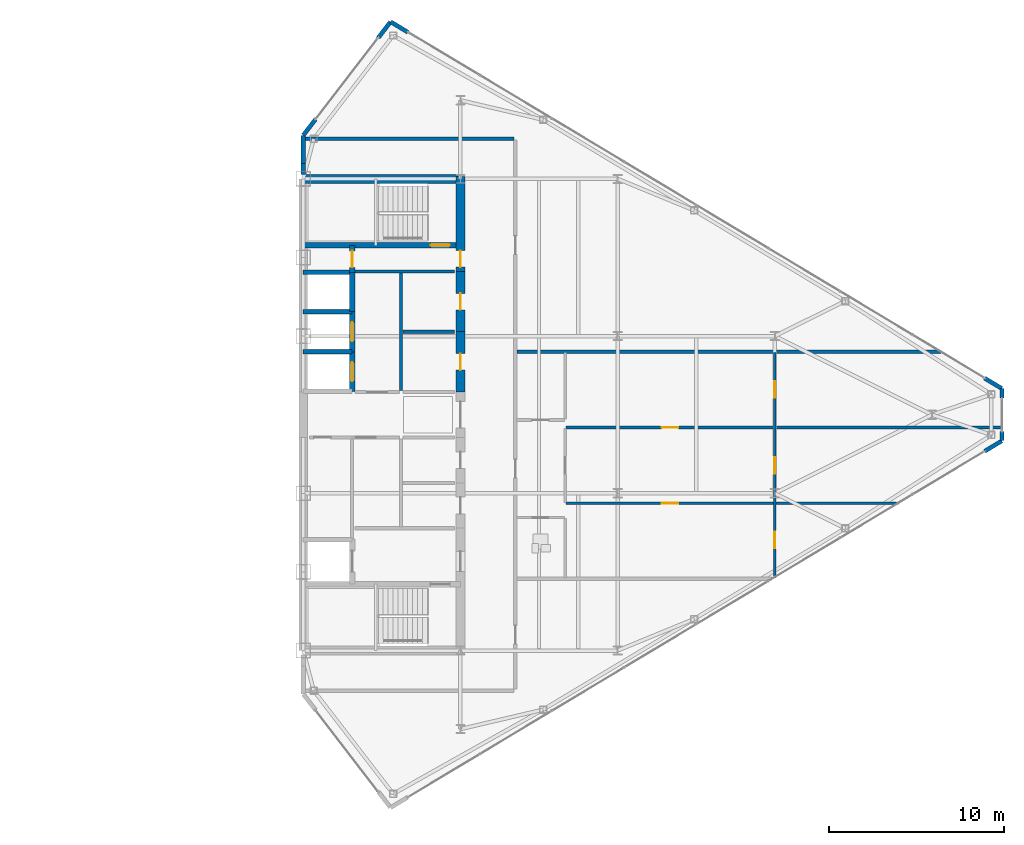
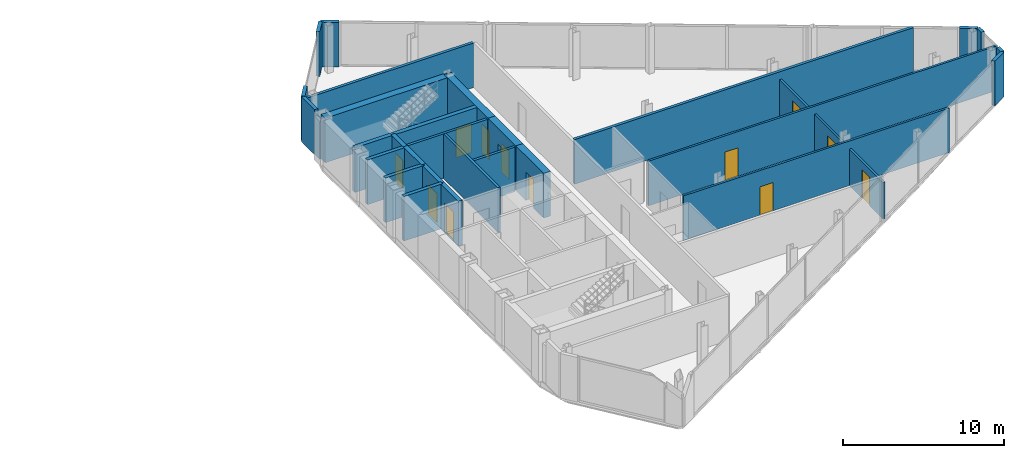
# One storey, part 22 of 25: 29 walls, 12 doors, 12 openings.
"""IFC4 building model written with IfcOpenShell, lengths in metres."""

import ifcopenshell
import ifcopenshell.guid

model = None  # the IFC model being written
_history = None  # IfcOwnerHistory: only IFC2X3 demands one
_inside = {}  # id of a spatial element -> (the spatial element, [elements in it])
_under = {}  # id of a project, library or spatial element -> (it, [spatial elements below it])
_declared = {}  # id of a project -> (the project, [libraries it declares])
_typed = {}  # id of a type object -> (the type object, [elements of that type])
_made_of = {}  # id of a material, layer set ... -> (it, [elements and type objects made of it])


def new_model(schema):
    """Start an empty IFC model of exactly this schema.

    Asked for "IFC4X3", IfcOpenShell would pick the latest addendum, in which some entities
    have other attributes; the version numbers below select the first issue.
    IFC2X3 requires an IfcOwnerHistory on every rooted entity: one is made here for all.
    """
    global model, _history
    if schema == "IFC4X3":
        model = ifcopenshell.file(schema_version=(4, 3, 0, 0))
    else:
        model = ifcopenshell.file(schema=schema)
    _inside.clear()
    _under.clear()
    _declared.clear()
    _typed.clear()
    _made_of.clear()
    _history = None
    if model.schema == "IFC2X3":
        org = make("IfcOrganization", Name="unknown")
        user = make(
            "IfcPersonAndOrganization",
            ThePerson=make("IfcPerson", FamilyName="unknown"),
            TheOrganization=org,
        )
        app = make(
            "IfcApplication",
            ApplicationDeveloper=org,
            Version="unknown",
            ApplicationFullName="unknown",
            ApplicationIdentifier="unknown",
        )
        _history = make(
            "IfcOwnerHistory",
            OwningUser=user,
            OwningApplication=app,
            ChangeAction="ADDED",
            CreationDate=0,
        )
    return model


def make(cls, **values):
    """One entity of the class cls with the attributes given. An attribute that is None is left unset."""
    return model.create_entity(
        cls, **{name: value for name, value in values.items() if value is not None}
    )


def rooted(cls, **values):
    """An entity with a GlobalId (a new one), such as an element, a storey or a relation."""
    return make(cls, GlobalId=ifcopenshell.guid.new(), OwnerHistory=_history, **values)


def si_unit(unit_type, name, prefix=None):
    """IfcSIUnit, for example si_unit("LENGTHUNIT", "METRE", prefix="MILLI")."""
    return make("IfcSIUnit", UnitType=unit_type, Prefix=prefix, Name=name)


def assignment(units):
    """IfcUnitAssignment: the units of a project."""
    return None if units is None else make("IfcUnitAssignment", Units=units)


def point(xyz):
    """IfcCartesianPoint."""
    return None if xyz is None else make("IfcCartesianPoint", Coordinates=xyz)


def direction(xyz):
    """IfcDirection."""
    return None if xyz is None else make("IfcDirection", DirectionRatios=xyz)


def frame(location, z_axis=None, x_axis=None):
    """IfcAxis2Placement3D, a coordinate frame: its origin and axes. An axis left out is left unset."""
    return make(
        "IfcAxis2Placement3D",
        Location=point(location),
        Axis=direction(z_axis),
        RefDirection=direction(x_axis),
    )


def frame_2d(location, x_axis=None):
    """IfcAxis2Placement2D, a coordinate frame in the plane: its origin and x axis."""
    return make(
        "IfcAxis2Placement2D", Location=point(location), RefDirection=direction(x_axis)
    )


def origin():
    """The frame at (0, 0, 0) with its axes left unset."""
    return frame((0.0, 0.0, 0.0))


def place(relative_to, where):
    """IfcLocalPlacement: puts the frame where relative to a parent placement (None: the world)."""
    return make(
        "IfcLocalPlacement", PlacementRelTo=relative_to, RelativePlacement=where
    )


def context(
    kind, dimensions, precision=None, world=None, true_north=None, identifier=None
):
    """IfcGeometricRepresentationContext, for example the 3D "Model" context."""
    return make(
        "IfcGeometricRepresentationContext",
        ContextIdentifier=identifier,
        ContextType=kind,
        CoordinateSpaceDimension=dimensions,
        Precision=precision,
        WorldCoordinateSystem=world,
        TrueNorth=true_north,
    )


def subcontext(parent, identifier, kind, view, scale=None):
    """IfcGeometricRepresentationSubContext, for example "Body" below "Model"."""
    return make(
        "IfcGeometricRepresentationSubContext",
        ContextIdentifier=identifier,
        ContextType=kind,
        ParentContext=parent,
        TargetScale=scale,
        TargetView=view,
    )


def project(units=None, contexts=None):
    """IfcProject with its units and contexts."""
    return rooted(
        "IfcProject",
        Name="project",
        RepresentationContexts=contexts,
        UnitsInContext=assignment(units),
    )


def spatial(cls, under=None, at=None, **own):
    """A site, building, storey or space (cls), placed at a placement, below another one or the project."""
    s = rooted(cls, ObjectPlacement=at, **own)
    if under is not None:
        _under.setdefault(under.id(), (under, []))[1].append(s)
    return s


def profile(cls, at=None, kind="AREA", **sizes):
    """A parametric profile (cls). Its sizes go by their IFC names, for example OverallWidth=200.0."""
    return make(cls, ProfileType=kind, Position=at, **sizes)


def rectangle(**sizes):
    """IfcRectangleProfileDef."""
    return profile("IfcRectangleProfileDef", **sizes)


def extrude(swept, where, along, depth):
    """IfcExtrudedAreaSolid: the profile swept, set in the frame where, extruded along a direction by depth."""
    return make(
        "IfcExtrudedAreaSolid",
        SweptArea=swept,
        Position=where,
        ExtrudedDirection=direction(along),
        Depth=depth,
    )


def shape(context_of_items, identifier, shape_type, items):
    """IfcShapeRepresentation: the items that make up one representation, for example the "Body"."""
    return make(
        "IfcShapeRepresentation",
        ContextOfItems=context_of_items,
        RepresentationIdentifier=identifier,
        RepresentationType=shape_type,
        Items=items,
    )


def source(mapping_origin, context_of_items, identifier, shape_type, items):
    """IfcRepresentationMap: a shape defined once, which mapped items show again and again."""
    return make(
        "IfcRepresentationMap",
        MappingOrigin=mapping_origin,
        MappedRepresentation=shape(context_of_items, identifier, shape_type, items),
    )


def transform(
    local_origin,
    x_axis=None,
    y_axis=None,
    z_axis=None,
    scale=None,
    scale2=None,
    scale3=None,
    uniform=True,
):
    """IfcCartesianTransformationOperator3D, or its non-uniform kind. x_axis, y_axis, z_axis: its Axis1, 2, 3."""
    if uniform:
        return make(
            "IfcCartesianTransformationOperator3D",
            Axis1=direction(x_axis),
            Axis2=direction(y_axis),
            LocalOrigin=point(local_origin),
            Scale=scale,
            Axis3=direction(z_axis),
        )
    return make(
        "IfcCartesianTransformationOperator3DnonUniform",
        Axis1=direction(x_axis),
        Axis2=direction(y_axis),
        LocalOrigin=point(local_origin),
        Scale=scale,
        Axis3=direction(z_axis),
        Scale2=scale2,
        Scale3=scale3,
    )


def mapped(mapping_source, mapping_target):
    """IfcMappedItem: shows the shape of a source again, moved by a transform."""
    return make(
        "IfcMappedItem", MappingSource=mapping_source, MappingTarget=mapping_target
    )


def material(Name=None, Category=None):
    """IfcMaterial."""
    return make("IfcMaterial", Name=Name, Category=Category)


def layer(
    of_material, thickness, ventilated=None, Name=None, Category=None, Priority=None
):
    """IfcMaterialLayer: one layer of a wall or slab, of a material (None: an air gap)."""
    return make(
        "IfcMaterialLayer",
        Material=of_material,
        LayerThickness=thickness,
        IsVentilated=ventilated,
        Name=Name,
        Category=Category,
        Priority=Priority,
    )


def layer_set(layers, Name=None):
    """IfcMaterialLayerSet."""
    return make("IfcMaterialLayerSet", MaterialLayers=layers, LayerSetName=Name)


def made_of(thing, what):
    """Note that an element or type object is made of a material, layer set ...; save() writes the relation."""
    if what is not None:
        _made_of.setdefault(what.id(), (what, []))[1].append(thing)
    return thing


def type_object(cls, material=None, **own):
    """A type object (cls), such as IfcWallType, which elements share."""
    return made_of(rooted(cls, **own), material)


def type_shapes(of_type, sources):
    """Give a type object the sources (RepresentationMaps) that its elements show as mapped items."""
    of_type.RepresentationMaps = sources


def element(
    cls,
    number,
    at=None,
    inside=None,
    cuts=None,
    type_object=None,
    material=None,
    context=None,
    identifier="Body",
    shape_type=None,
    held_by="IfcProductDefinitionShape",
    body=None,
    shapes=None,
    **own,
):
    """One element of the class cls, such as IfcWall. Its Tag is "e" and its number.

    at: its placement. inside: the storey or other place that contains it. cuts: it is an
    opening in that element (IfcRelVoidsElement). A single representation is given by context,
    identifier, shape_type and body (its items); several are given by shapes. held_by: the class
    of the entity that holds the representations. save() writes the other relations.
    """
    e = rooted(cls, Tag="e%d" % number, ObjectPlacement=at, **own)
    if body is not None:
        shapes = [shape(context, identifier, shape_type, body)]
    if shapes is not None:
        e.Representation = make(held_by, Representations=shapes)
    if inside is not None:
        _inside.setdefault(inside.id(), (inside, []))[1].append(e)
    if cuts is not None:
        rooted(
            "IfcRelVoidsElement", RelatingBuildingElement=cuts, RelatedOpeningElement=e
        )
    if type_object is not None:
        _typed.setdefault(type_object.id(), (type_object, []))[1].append(e)
    return made_of(e, material)


def fill(opening, filler):
    """IfcRelFillsElement: the door or window that sits in an opening."""
    return rooted(
        "IfcRelFillsElement",
        RelatingOpeningElement=opening,
        RelatedBuildingElement=filler,
    )


def aggregate(whole, parts):
    """IfcRelAggregates: a whole, such as a stair, and the parts it consists of."""
    return rooted("IfcRelAggregates", RelatingObject=whole, RelatedObjects=parts)


def save(model, path):
    """Write the relations noted so far, then the file.

    IfcRelAggregates (storeys below a building ...), IfcRelContainedInSpatialStructure (elements
    in a storey), IfcRelDefinesByType, IfcRelAssociatesMaterial and IfcRelDeclares: one each for
    every whole, place, type object, material and project.
    """
    for whole, parts in _under.values():
        aggregate(whole, parts)
    for where, things in _inside.values():
        rooted(
            "IfcRelContainedInSpatialStructure",
            RelatedElements=things,
            RelatingStructure=where,
        )
    for kind, things in _typed.values():
        rooted("IfcRelDefinesByType", RelatedObjects=things, RelatingType=kind)
    for what, things in _made_of.values():
        rooted("IfcRelAssociatesMaterial", RelatedObjects=things, RelatingMaterial=what)
    for by, libraries in _declared.values():
        rooted("IfcRelDeclares", RelatingContext=by, RelatedDefinitions=libraries)
    model.write(path)


model = new_model("IFC4")

# Units and contexts
model_context = context("Model", 3, precision=1e-05, world=origin(), true_north=direction((0.0, 1.0)))
body_context = subcontext(model_context, "Body", "Model", "MODEL_VIEW")
ifc_project = project(units=[si_unit("LENGTHUNIT", "METRE"), si_unit("AREAUNIT", "SQUARE_METRE"), si_unit("VOLUMEUNIT", "CUBIC_METRE"), si_unit("PLANEANGLEUNIT", "RADIAN"), si_unit("MASSUNIT", "GRAM", prefix="KILO")], contexts=[model_context])

# Site, building, storey
site_placement = place(None, origin())
site = spatial("IfcSite", under=ifc_project, at=site_placement, CompositionType="ELEMENT")
building_placement = place(site_placement, origin())
building = spatial("IfcBuilding", under=site, at=building_placement, Name="Seokmaru Belvedere", CompositionType="ELEMENT")
storey_placement = place(building_placement, frame((0.0, 0.0, 210.300048828125)))
storey = spatial("IfcBuildingStorey", under=building, at=storey_placement, Name="L56", CompositionType="ELEMENT", Elevation=210.300048828125)

# Wall, opening, door
ifc_material_1 = material(Name="Fire-Rated Gypsum Shaftwall")
ifc_layer_1 = layer(ifc_material_1, 0.14990234375)
ifc_layer_set_1 = layer_set([ifc_layer_1], Name="Fire-Rated Gypsum Shaftwall")
wall_type_1 = type_object("IfcWallType", Name="Apartment Fire-Acoustic Room Partition 150", PredefinedType="PARTITIONING", material=ifc_layer_set_1)
wall_1_placement = place(storey_placement, frame((42.550048828125, -5.070068359375, 0.0), z_axis=(0.0, 0.0, 1.0), x_axis=(1.0, 0.0, 0.0)))
wall_1 = element("IfcWall", 1, at=wall_1_placement, inside=storey, type_object=wall_type_1, Name="L56 Interior Partition 008", PredefinedType="PARTITIONING", context=body_context, shape_type="SweptSolid", body=[
    extrude(rectangle(XDim=19.0400390625, YDim=0.14990234375, at=frame_2d((9.52001953125, 0.0))), origin(), (0.0, 0.0, 1.0), 3.3798828125),
])
opening_1_placement = place(wall_1_placement, frame((5.47509765625, 0.0, 0.0)))
opening_1 = element("IfcOpeningElement", 2, at=opening_1_placement, cuts=wall_1, Name="Opening D05", PredefinedType="OPENING", context=body_context, shape_type="SweptSolid", body=[
    extrude(rectangle(XDim=0.949951171875, YDim=2.14990234375, at=frame_2d((0.47509765625, 1.074951171875))), frame((0.0, 0.0849609375, 0.0), z_axis=(0.0, -1.0, 0.0), x_axis=(1.0, 0.0, 0.0)), (0.0, 0.0, 1.0), 0.169921875),
])
ifc_material_2 = material(Name="Engineered White Oak Timber", Category="wood")
door_type_1 = type_object("IfcDoorType", Name="Apartment Interior Fire-Rated Oak Door 950x2150", OperationType="NOTDEFINED", PredefinedType="DOOR", material=ifc_material_2)
shared_shape_1 = source(origin(), body_context, "Body", "SweptSolid", [
    extrude(rectangle(XDim=0.949951171875, YDim=2.14990234375, at=frame_2d((0.47509765625, 1.074951171875))), frame((0.0, 0.02490234375, 0.0), z_axis=(0.0, -1.0, 0.0), x_axis=(1.0, 0.0, 0.0)), (0.0, 0.0, 1.0), 0.050048828125),
])
type_shapes(door_type_1, [shared_shape_1])
door_1_placement = place(opening_1_placement, origin())
door_1 = element("IfcDoor", 3, at=door_1_placement, inside=storey, type_object=door_type_1, Name="L56 Interior Door 018", OperationType="SINGLE_SWING_RIGHT", OverallHeight=2.14990234375, OverallWidth=0.949951171875, PredefinedType="DOOR", context=body_context, shape_type="MappedRepresentation", body=[
    mapped(shared_shape_1, transform((0.0, 0.0, 0.0), scale=1.0)),
])
fill(opening_1, door_1)

wall_2_placement = place(storey_placement, frame((42.550048828125, -0.72998046875, 0.0), z_axis=(0.0, 0.0, 1.0), x_axis=(1.0, 0.0, 0.0)))
wall_2 = element("IfcWall", 4, at=wall_2_placement, inside=storey, type_object=wall_type_1, Name="L56 Interior Partition 011", PredefinedType="PARTITIONING", context=body_context, shape_type="SweptSolid", body=[
    extrude(rectangle(XDim=24.98486328125, YDim=0.14990234375, at=frame_2d((12.492431640625, 0.0))), origin(), (0.0, 0.0, 1.0), 3.3798828125),
])
opening_2_placement = place(wall_2_placement, frame((5.47509765625, 0.0, 0.0)))
opening_2 = element("IfcOpeningElement", 5, at=opening_2_placement, cuts=wall_2, Name="Opening D05", PredefinedType="OPENING", context=body_context, shape_type="SweptSolid", body=[
    extrude(rectangle(XDim=0.949951171875, YDim=2.14990234375, at=frame_2d((0.47509765625, 1.074951171875))), frame((0.0, 0.0849609375, 0.0), z_axis=(0.0, -1.0, 0.0), x_axis=(1.0, 0.0, 0.0)), (0.0, 0.0, 1.0), 0.169921875),
])
door_2_placement = place(opening_2_placement, origin())
door_2 = element("IfcDoor", 6, at=door_2_placement, inside=storey, type_object=door_type_1, Name="L56 Interior Door 019", OperationType="SINGLE_SWING_LEFT", OverallHeight=2.14990234375, OverallWidth=0.949951171875, PredefinedType="DOOR", context=body_context, shape_type="MappedRepresentation", body=[
    mapped(shared_shape_1, transform((0.0, 0.0, 0.0), scale=1.0)),
])
fill(opening_2, door_2)

# Wall, openings, doors
wall_3_placement = place(storey_placement, frame((54.5, -9.3349609375, 0.0), z_axis=(0.0, 0.0, 1.0), x_axis=(0.0, 1.0, 0.0)))
wall_3 = element("IfcWall", 7, at=wall_3_placement, inside=storey, type_object=wall_type_1, Name="L56 Interior Partition 026", PredefinedType="PARTITIONING", context=body_context, shape_type="SweptSolid", body=[
    extrude(rectangle(XDim=12.885009765625, YDim=0.14990234375, at=frame_2d((6.4423828125, 0.0))), origin(), (0.0, 0.0, 1.0), 2.780029296875),
])
opening_3_placement = place(wall_3_placement, frame((5.9599609375, 0.0, 0.0)))
opening_3 = element("IfcOpeningElement", 8, at=opening_3_placement, cuts=wall_3, Name="Opening D05", PredefinedType="OPENING", context=body_context, shape_type="SweptSolid", body=[
    extrude(rectangle(XDim=0.949951171875, YDim=2.14990234375, at=frame_2d((0.47509765625, 1.074951171875))), frame((0.0, 0.0849609375, 0.0), z_axis=(0.0, -1.0, 0.0), x_axis=(1.0, 0.0, 0.0)), (0.0, 0.0, 1.0), 0.169921875),
])
opening_4_placement = place(wall_3_placement, frame((1.6767578125, 0.0, 0.0)))
opening_4 = element("IfcOpeningElement", 9, at=opening_4_placement, cuts=wall_3, Name="Opening D05", PredefinedType="OPENING", context=body_context, shape_type="SweptSolid", body=[
    extrude(rectangle(XDim=0.949951171875, YDim=2.14990234375, at=frame_2d((0.47509765625, 1.074951171875))), frame((0.0, 0.0849609375, 0.0), z_axis=(0.0, -1.0, 0.0), x_axis=(1.0, 0.0, 0.0)), (0.0, 0.0, 1.0), 0.169921875),
])
opening_5_placement = place(wall_3_placement, frame((10.29345703125, 0.0, 0.0)))
opening_5 = element("IfcOpeningElement", 10, at=opening_5_placement, cuts=wall_3, Name="Opening D05", PredefinedType="OPENING", context=body_context, shape_type="SweptSolid", body=[
    extrude(rectangle(XDim=0.949951171875, YDim=2.14990234375, at=frame_2d((0.47509765625, 1.074951171875))), frame((0.0, 0.0849609375, 0.0), z_axis=(0.0, -1.0, 0.0), x_axis=(1.0, 0.0, 0.0)), (0.0, 0.0, 1.0), 0.169921875),
])
door_3_placement = place(opening_3_placement, origin())
door_3 = element("IfcDoor", 11, at=door_3_placement, inside=storey, type_object=door_type_1, Name="L56 Interior Door 017", OperationType="SINGLE_SWING_RIGHT", OverallHeight=2.14990234375, OverallWidth=0.949951171875, PredefinedType="DOOR", context=body_context, shape_type="MappedRepresentation", body=[
    mapped(shared_shape_1, transform((0.0, 0.0, 0.0), scale=1.0)),
])
fill(opening_3, door_3)
door_4_placement = place(opening_4_placement, origin())
door_4 = element("IfcDoor", 12, at=door_4_placement, inside=storey, type_object=door_type_1, Name="L56 Interior Door 020", OperationType="SINGLE_SWING_LEFT", OverallHeight=2.14990234375, OverallWidth=0.949951171875, PredefinedType="DOOR", context=body_context, shape_type="MappedRepresentation", body=[
    mapped(shared_shape_1, transform((0.0, 0.0, 0.0), scale=1.0)),
])
fill(opening_4, door_4)
door_5_placement = place(opening_5_placement, origin())
door_5 = element("IfcDoor", 13, at=door_5_placement, inside=storey, type_object=door_type_1, Name="L56 Interior Door 021", OperationType="SINGLE_SWING_RIGHT", OverallHeight=2.14990234375, OverallWidth=0.949951171875, PredefinedType="DOOR", context=body_context, shape_type="MappedRepresentation", body=[
    mapped(shared_shape_1, transform((0.0, 0.0, 0.0), scale=1.0)),
])
fill(opening_5, door_5)

# Walls
ifc_layer_2 = layer(ifc_material_1, 0.179931640625)
ifc_layer_set_2 = layer_set([ifc_layer_2], Name="Fire-Rated Gypsum Shaftwall")
wall_type_2 = type_object("IfcWallType", Name="Core Service Fire Partition 180", PredefinedType="PARTITIONING", material=ifc_layer_set_2)
wall_4_placement = place(storey_placement, frame((30.449951171875, 8.199951171875, 0.0), z_axis=(0.0, 0.0, 1.0), x_axis=(1.0, 0.0, 0.0)))
element("IfcWall", 14, at=wall_4_placement, inside=storey, type_object=wall_type_2, Name="L56 East Smokeproof Vestibule Partition", PredefinedType="PARTITIONING", context=body_context, shape_type="SweptSolid", body=[
    extrude(rectangle(XDim=5.699951171875, YDim=0.179931640625, at=frame_2d((2.85009765625, 0.0))), origin(), (0.0, 0.0, 1.0), 3.3798828125),
])
wall_5_placement = place(storey_placement, frame((33.10009765625, 1.3798828125, 0.0), z_axis=(0.0, 0.0, 1.0), x_axis=(0.0, 1.0, 0.0)))
element("IfcWall", 15, at=wall_5_placement, inside=storey, type_object=wall_type_2, Name="L56 East North Core Service Back Wall", PredefinedType="PARTITIONING", context=body_context, shape_type="SweptSolid", body=[
    extrude(rectangle(XDim=6.740234375, YDim=0.179931640625, at=frame_2d((3.3701171875, 0.0))), origin(), (0.0, 0.0, 1.0), 3.3798828125),
])
wall_6_placement = place(storey_placement, frame((33.199951171875, 4.75, 0.0), z_axis=(0.0, 0.0, 1.0), x_axis=(1.0, 0.0, 0.0)))
element("IfcWall", 16, at=wall_6_placement, inside=storey, type_object=wall_type_2, Name="L56 East Core Service Partition 2", PredefinedType="PARTITIONING", context=body_context, shape_type="SweptSolid", body=[
    extrude(rectangle(XDim=2.949951171875, YDim=0.179931640625, at=frame_2d((1.47509765625, 0.0))), origin(), (0.0, 0.0, 1.0), 3.3798828125),
])
ifc_material_3 = material(Name="Concrete C50 (50 MPa)", Category="concrete")
ifc_layer_3 = layer(ifc_material_3, 0.25)
ifc_layer_set_3 = layer_set([ifc_layer_3], Name="Concrete C50 (50 MPa)")
wall_type_3 = type_object("IfcWallType", Name="Hoistway Transverse Concrete Divider Wall 250", PredefinedType="SHEAR", material=ifc_layer_set_3)
for number, where, z_axis, x_axis, name in (
    (17, (27.5, 3.60009765625, 0.0), (0.0, 0.0, 1.0), (1.0, 0.0, 0.0), "L56 East Hoistway Divider Core Wall 3"),
    (18, (27.5, 5.89990234375, 0.0), (0.0, 0.0, 1.0), (1.0, 0.0, 0.0), "L56 East Hoistway Divider Core Wall 4"),
    (19, (27.5, 8.14990234375, 0.0), (0.0, 0.0, 1.0), (1.0, 0.0, 0.0), "L56 East Hoistway Divider Core Wall 5"),
):
    element("IfcWall", number, at=place(storey_placement, frame(where, z_axis=z_axis, x_axis=x_axis)), inside=storey, type_object=wall_type_3, Name=name, PredefinedType="SHEAR", context=body_context, shape_type="SweptSolid", body=[
        extrude(rectangle(XDim=2.800048828125, YDim=0.25, at=frame_2d((1.39990234375, 0.0))), origin(), (0.0, 0.0, 1.0), 3.3798828125),
    ])
ifc_layer_4 = layer(ifc_material_1, 0.199951171875)
ifc_layer_set_4 = layer_set([ifc_layer_4], Name="Fire-Rated Gypsum Shaftwall")
wall_type_4 = type_object("IfcWallType", Name="Inter-Tenancy Fire Compartment Partition 200", PredefinedType="PARTITIONING", material=ifc_layer_set_4)
wall_7_placement = place(storey_placement, frame((39.72998046875, 3.60009765625, 0.0), z_axis=(0.0, 0.0, 1.0), x_axis=(1.0, 0.0, 0.0)))
element("IfcWall", 20, at=wall_7_placement, inside=storey, type_object=wall_type_4, Name="L56 Interior Partition 014", PredefinedType="PARTITIONING", context=body_context, shape_type="SweptSolid", body=[
    extrude(rectangle(XDim=24.280029296875, YDim=0.199951171875, at=frame_2d((12.14013671875, 0.0))), origin(), (0.0, 0.0, 1.0), 3.3798828125),
])
wall_8_placement = place(storey_placement, frame((27.625, 15.800048828125, 0.0), z_axis=(0.0, 0.0, 1.0), x_axis=(1.0, 0.0, 0.0)))
element("IfcWall", 21, at=wall_8_placement, inside=storey, type_object=wall_type_4, Name="L56 Interior Partition 016", PredefinedType="PARTITIONING", context=body_context, shape_type="SweptSolid", body=[
    extrude(rectangle(XDim=11.93994140625, YDim=0.199951171875, at=frame_2d((5.969970703125, 0.0))), origin(), (0.0, 0.0, 1.0), 3.3798828125),
])

# Wall, opening, door
ifc_layer_5 = layer(ifc_material_3, 0.300048828125)
ifc_layer_set_5 = layer_set([ifc_layer_5], Name="Concrete C50 (50 MPa)")
wall_type_5 = type_object("IfcWallType", Name="Internal Core Stair and Hoistway Wall 300", PredefinedType="SHEAR", material=ifc_layer_set_5)
wall_9_placement = place(storey_placement, frame((27.5, 9.699951171875, 0.0), z_axis=(0.0, 0.0, 1.0), x_axis=(1.0, 0.0, 0.0)))
wall_9 = element("IfcWall", 22, at=wall_9_placement, inside=storey, type_object=wall_type_5, Name="L56 East Stair ST-2 Enclosure Wall", PredefinedType="SHEAR", context=body_context, shape_type="SweptSolid", body=[
    extrude(rectangle(XDim=9.0, YDim=0.300048828125, at=frame_2d((4.5, 0.0))), origin(), (0.0, 0.0, 1.0), 3.3798828125),
])
opening_6_placement = place(wall_9_placement, frame((7.300048828125, 0.0, 0.0)))
opening_6 = element("IfcOpeningElement", 23, at=opening_6_placement, cuts=wall_9, Name="Opening D01", PredefinedType="OPENING", context=body_context, shape_type="SweptSolid", body=[
    extrude(rectangle(XDim=1.10009765625, YDim=2.199951171875, at=frame_2d((0.550048828125, 1.10009765625))), frame((0.0, 0.16015625, 0.0), z_axis=(0.0, -1.0, 0.0), x_axis=(1.0, 0.0, 0.0)), (0.0, 0.0, 1.0), 0.320068359375),
])
ifc_material_4 = material(Name="Fire-Rated Steel Leaf", Category="steel")
door_type_2 = type_object("IfcDoorType", Name="Special Escape Stair Smokeproof Fire Door 1100x2200", OperationType="NOTDEFINED", PredefinedType="DOOR", material=ifc_material_4)
shared_shape_2 = source(origin(), body_context, "Body", "SweptSolid", [
    extrude(rectangle(XDim=1.10009765625, YDim=2.199951171875, at=frame_2d((0.550048828125, 1.10009765625))), frame((0.0, 0.02490234375, 0.0), z_axis=(0.0, -1.0, 0.0), x_axis=(1.0, 0.0, 0.0)), (0.0, 0.0, 1.0), 0.050048828125),
])
type_shapes(door_type_2, [shared_shape_2])
door_6_placement = place(opening_6_placement, origin())
door_6 = element("IfcDoor", 24, at=door_6_placement, inside=storey, type_object=door_type_2, Name="L56 East Special Escape Stair ST-2 Door", OperationType="SINGLE_SWING_LEFT", OverallHeight=2.199951171875, OverallWidth=1.10009765625, PredefinedType="DOOR", context=body_context, shape_type="MappedRepresentation", body=[
    mapped(shared_shape_2, transform((0.0, 0.0, 0.0), scale=1.0)),
])
fill(opening_6, door_6)

wall_10_placement = place(storey_placement, frame((30.300048828125, 1.320068359375, 0.0), z_axis=(0.0, 0.0, 1.0), x_axis=(0.0, 1.0, 0.0)))
wall_10 = element("IfcWall", 25, at=wall_10_placement, inside=storey, type_object=wall_type_5, Name="L56 East North Hoistway Wall PH1", PredefinedType="SHEAR", context=body_context, shape_type="SweptSolid", body=[
    extrude(rectangle(XDim=2.280029296875, YDim=0.300048828125, at=frame_2d((1.14013671875, 0.0))), origin(), (0.0, 0.0, 1.0), 3.3798828125),
])
opening_7_placement = place(wall_10_placement, frame((0.590087890625, 0.0, 0.0)))
opening_7 = element("IfcOpeningElement", 26, at=opening_7_placement, cuts=wall_10, Name="Opening LD1", PredefinedType="OPENING", context=body_context, shape_type="SweptSolid", body=[
    extrude(rectangle(XDim=1.10009765625, YDim=2.199951171875, at=frame_2d((0.550048828125, 1.10009765625))), frame((0.0, 0.16015625, 0.0), z_axis=(0.0, -1.0, 0.0), x_axis=(1.0, 0.0, 0.0)), (0.0, 0.0, 1.0), 0.320068359375),
])
ifc_material_5 = material(Name="Stainless Steel 316", Category="steel")
door_type_3 = type_object("IfcDoorType", Name="Passenger Lift Sliding Landing Door 1100x2200", OperationType="DOUBLE_DOOR_SLIDING", PredefinedType="DOOR", material=ifc_material_5)
shared_shape_3 = source(origin(), body_context, "Body", "SweptSolid", [
    extrude(rectangle(XDim=1.10009765625, YDim=2.199951171875, at=frame_2d((0.550048828125, 1.10009765625))), frame((0.0, 0.02490234375, 0.0), z_axis=(0.0, -1.0, 0.0), x_axis=(1.0, 0.0, 0.0)), (0.0, 0.0, 1.0), 0.050048828125),
])
type_shapes(door_type_3, [shared_shape_3])
door_7_placement = place(opening_7_placement, origin())
door_7 = element("IfcDoor", 27, at=door_7_placement, inside=storey, type_object=door_type_3, Name="L56 East High-Rise Lift PH-1 Landing Door", OperationType="DOUBLE_DOOR_SLIDING", OverallHeight=2.199951171875, OverallWidth=1.10009765625, PredefinedType="DOOR", context=body_context, shape_type="MappedRepresentation", body=[
    mapped(shared_shape_3, transform((0.0, 0.0, 0.0), scale=1.0)),
])
fill(opening_7, door_7)

wall_11_placement = place(storey_placement, frame((30.300048828125, 3.60009765625, 0.0), z_axis=(0.0, 0.0, 1.0), x_axis=(0.0, 1.0, 0.0)))
wall_11 = element("IfcWall", 28, at=wall_11_placement, inside=storey, type_object=wall_type_5, Name="L56 East North Hoistway Wall PH2", PredefinedType="SHEAR", context=body_context, shape_type="SweptSolid", body=[
    extrude(rectangle(XDim=2.2998046875, YDim=0.300048828125, at=frame_2d((1.14990234375, 0.0))), origin(), (0.0, 0.0, 1.0), 3.3798828125),
])
opening_8_placement = place(wall_11_placement, frame((0.60009765625, 0.0, 0.0)))
opening_8 = element("IfcOpeningElement", 29, at=opening_8_placement, cuts=wall_11, Name="Opening LD1", PredefinedType="OPENING", context=body_context, shape_type="SweptSolid", body=[
    extrude(rectangle(XDim=1.10009765625, YDim=2.199951171875, at=frame_2d((0.550048828125, 1.10009765625))), frame((0.0, 0.16015625, 0.0), z_axis=(0.0, -1.0, 0.0), x_axis=(1.0, 0.0, 0.0)), (0.0, 0.0, 1.0), 0.320068359375),
])
door_8_placement = place(opening_8_placement, origin())
door_8 = element("IfcDoor", 30, at=door_8_placement, inside=storey, type_object=door_type_3, Name="L56 East High-Rise Lift PH-2 Landing Door", OperationType="DOUBLE_DOOR_SLIDING", OverallHeight=2.199951171875, OverallWidth=1.10009765625, PredefinedType="DOOR", context=body_context, shape_type="MappedRepresentation", body=[
    mapped(shared_shape_3, transform((0.0, 0.0, 0.0), scale=1.0)),
])
fill(opening_8, door_8)

# Wall
wall_12_placement = place(storey_placement, frame((30.300048828125, 5.89990234375, 0.0), z_axis=(0.0, 0.0, 1.0), x_axis=(0.0, 1.0, 0.0)))
element("IfcWall", 31, at=wall_12_placement, inside=storey, type_object=wall_type_5, Name="L56 East North Hoistway Wall OBS", PredefinedType="SHEAR", context=body_context, shape_type="SweptSolid", body=[
    extrude(rectangle(XDim=2.25, YDim=0.300048828125, at=frame_2d((1.125, 0.0))), origin(), (0.0, 0.0, 1.0), 3.3798828125),
])

# Wall, opening, door
wall_13_placement = place(storey_placement, frame((30.300048828125, 8.14990234375, 0.0), z_axis=(0.0, 0.0, 1.0), x_axis=(0.0, 1.0, 0.0)))
wall_13 = element("IfcWall", 32, at=wall_13_placement, inside=storey, type_object=wall_type_5, Name="L56 East Electrical Riser Front Wall", PredefinedType="SHEAR", context=body_context, shape_type="SweptSolid", body=[
    extrude(rectangle(XDim=1.530029296875, YDim=0.300048828125, at=frame_2d((0.76513671875, 0.0))), origin(), (0.0, 0.0, 1.0), 3.3798828125),
])
opening_9_placement = place(wall_13_placement, frame((0.284912109375, 0.0, 0.0)))
opening_9 = element("IfcOpeningElement", 33, at=opening_9_placement, cuts=wall_13, Name="Opening D04", PredefinedType="OPENING", context=body_context, shape_type="SweptSolid", body=[
    extrude(rectangle(XDim=0.949951171875, YDim=2.14990234375, at=frame_2d((0.47509765625, 1.074951171875))), frame((0.0, 0.16015625, 0.0), z_axis=(0.0, -1.0, 0.0), x_axis=(1.0, 0.0, 0.0)), (0.0, 0.0, 1.0), 0.320068359375),
])
door_type_4 = type_object("IfcDoorType", Name="Core Service Room Fire Door 950x2150", OperationType="NOTDEFINED", PredefinedType="DOOR", material=ifc_material_4)
shared_shape_4 = source(origin(), body_context, "Body", "SweptSolid", [
    extrude(rectangle(XDim=0.949951171875, YDim=2.14990234375, at=frame_2d((0.47509765625, 1.074951171875))), frame((0.0, 0.02490234375, 0.0), z_axis=(0.0, -1.0, 0.0), x_axis=(1.0, 0.0, 0.0)), (0.0, 0.0, 1.0), 0.050048828125),
])
type_shapes(door_type_4, [shared_shape_4])
door_9_placement = place(opening_9_placement, origin())
door_9 = element("IfcDoor", 34, at=door_9_placement, inside=storey, type_object=door_type_4, Name="L56 East Electrical Riser Access Door", OperationType="SINGLE_SWING_RIGHT", OverallHeight=2.14990234375, OverallWidth=0.949951171875, PredefinedType="DOOR", context=body_context, shape_type="MappedRepresentation", body=[
    mapped(shared_shape_4, transform((0.0, 0.0, 0.0), scale=1.0)),
])
fill(opening_9, door_9)

# Walls
ifc_material_6 = material(Name="Anodised Bronze Aluminium", Category="aluminium")
ifc_layer_6 = layer(ifc_material_6, 0.239990234375)
ifc_layer_set_6 = layer_set([ifc_layer_6], Name="Anodised Bronze Aluminium")
wall_type_6 = type_object("IfcWallType", Name="Tower Corner Spandrel Closure Wall 240", PredefinedType="SOLIDWALL", material=ifc_layer_set_6)
wall_14_placement = place(storey_placement, frame((66.513916015625, -2.091796875, 0.0), z_axis=(0.0, 0.0, 1.0), x_axis=(0.85743623509, 0.514590228002, 0.0)))
element("IfcWall", 35, at=wall_14_placement, inside=storey, type_object=wall_type_6, Name="L56 E Corner Closure Pier 1B", PredefinedType="SOLIDWALL", context=body_context, shape_type="SweptSolid", body=[
    extrude(rectangle(XDim=1.14013671875, YDim=0.239990234375, at=frame_2d((0.570068359375, 0.0))), origin(), (0.0, 0.0, 1.0), 3.3798828125),
])
for number, where, z_axis, x_axis, name in (
    (36, (67.5, -1.489990234375, 0.0), (0.0, 0.0, 1.0), (0.0, 1.0, 0.0), "L56 E Apex Closure Pier 2A"),
    (37, (67.5, 0.949951171875, 0.0), (0.0, 0.0, 1.0), (0.0, 1.0, 0.0), "L56 E Apex Closure Pier 2B"),
):
    element("IfcWall", number, at=place(storey_placement, frame(where, z_axis=z_axis, x_axis=x_axis)), inside=storey, type_object=wall_type_6, Name=name, PredefinedType="SOLIDWALL", context=body_context, shape_type="SweptSolid", body=[
        extrude(rectangle(XDim=0.5400390625, YDim=0.239990234375, at=frame_2d((0.27001953125, 0.0))), origin(), (0.0, 0.0, 1.0), 3.3798828125),
    ])
for number, where, z_axis, x_axis, name in (
    (38, (67.491455078125, 1.505126953125, 0.0), (0.0, 0.0, 1.0), (-0.85743623509, 0.514590228002, 0.0), "L56 E Corner Closure Pier 3A"),
    (39, (33.486083984375, 21.908203125, 0.0), (0.0, 0.0, 1.0), (-0.85743623509, 0.514590228002, 0.0), "L56 E Corner Closure Pier 3B"),
    (40, (32.493896484375, 22.4921875, 0.0), (0.0, 0.0, 1.0), (-0.609617623633, -0.792695624408, 0.0), "L56 E Corner Closure Pier 4A"),
    (41, (28.201171875, 16.91162109375, 0.0), (0.0, 0.0, 1.0), (-0.609617623633, -0.792695624408, 0.0), "L56 E Corner Closure Pier 4B"),
):
    element("IfcWall", number, at=place(storey_placement, frame(where, z_axis=z_axis, x_axis=x_axis)), inside=storey, type_object=wall_type_6, Name=name, PredefinedType="SOLIDWALL", context=body_context, shape_type="SweptSolid", body=[
        extrude(rectangle(XDim=1.14013671875, YDim=0.239990234375, at=frame_2d((0.570068359375, 0.0))), origin(), (0.0, 0.0, 1.0), 3.3798828125),
    ])
wall_15_placement = place(storey_placement, frame((27.5, 13.7548828125, 0.0), z_axis=(0.0, 0.0, 1.0), x_axis=(0.0, 1.0, 0.0)))
element("IfcWall", 42, at=wall_15_placement, inside=storey, type_object=wall_type_6, Name="L56 E Shoulder Closure Wall 2", PredefinedType="SOLIDWALL", context=body_context, shape_type="SweptSolid", body=[
    extrude(rectangle(XDim=0.619873046875, YDim=0.239990234375, at=frame_2d((0.31005859375, 0.0))), origin(), (0.0, 0.0, 1.0), 2.8798828125),
])
wall_16_placement = place(storey_placement, frame((27.5, 14.374755859375, 0.0), z_axis=(0.0, 0.0, 1.0), x_axis=(0.0, 1.0, 0.0)))
element("IfcWall", 43, at=wall_16_placement, inside=storey, type_object=wall_type_6, Name="L56 E Shoulder Closure Wall 2 Part 2", PredefinedType="SOLIDWALL", context=body_context, shape_type="SweptSolid", body=[
    extrude(rectangle(XDim=1.605224609375, YDim=0.239990234375, at=frame_2d((0.802734375, 0.0))), origin(), (0.0, 0.0, 1.0), 3.3798828125),
])
ifc_layer_7 = layer(ifc_material_3, 0.5)
ifc_layer_set_7 = layer_set([ifc_layer_7], Name="Concrete C50 (50 MPa)")
wall_type_7 = type_object("IfcWallType", Name="Upper Tower Reinforced Concrete Core Wall 500", PredefinedType="SHEAR", material=ifc_layer_set_7)
wall_17_placement = place(storey_placement, frame((27.5, 13.5, 0.0), z_axis=(0.0, 0.0, 1.0), x_axis=(1.0, 0.0, 0.0)))
element("IfcWall", 44, at=wall_17_placement, inside=storey, type_object=wall_type_7, Name="L56 East North Core Wall", PredefinedType="SHEAR", context=body_context, shape_type="SweptSolid", body=[
    extrude(rectangle(XDim=9.0, YDim=0.5, at=frame_2d((4.5, 0.0))), origin(), (0.0, 0.0, 1.0), 3.3798828125),
])

# Wall, opening, door
wall_18_placement = place(storey_placement, frame((36.5, 8.199951171875, 0.0), z_axis=(0.0, 0.0, 1.0), x_axis=(0.0, 1.0, 0.0)))
wall_18 = element("IfcWall", 45, at=wall_18_placement, inside=storey, type_object=wall_type_7, Name="L56 East West Core Wall VST", PredefinedType="SHEAR", context=body_context, shape_type="SweptSolid", body=[
    extrude(rectangle(XDim=5.449951171875, YDim=0.5, at=frame_2d((2.72509765625, 0.0))), origin(), (0.0, 0.0, 1.0), 3.3798828125),
])
opening_10_placement = place(wall_18_placement, frame((0.2451171875, 0.0, 0.0)))
opening_10 = element("IfcOpeningElement", 46, at=opening_10_placement, cuts=wall_18, Name="Opening D04", PredefinedType="OPENING", context=body_context, shape_type="SweptSolid", body=[
    extrude(rectangle(XDim=0.949951171875, YDim=2.14990234375, at=frame_2d((0.47509765625, 1.074951171875))), frame((0.0, 0.260009765625, 0.0), z_axis=(0.0, -1.0, 0.0), x_axis=(1.0, 0.0, 0.0)), (0.0, 0.0, 1.0), 0.52001953125),
])
door_10_placement = place(opening_10_placement, origin())
door_10 = element("IfcDoor", 47, at=door_10_placement, inside=storey, type_object=door_type_4, Name="L56 East Smokeproof Vestibule Door", OperationType="SINGLE_SWING_LEFT", OverallHeight=2.14990234375, OverallWidth=0.949951171875, PredefinedType="DOOR", context=body_context, shape_type="MappedRepresentation", body=[
    mapped(shared_shape_4, transform((0.0, 0.0, 0.0), scale=1.0)),
])
fill(opening_10, door_10)

wall_19_placement = place(storey_placement, frame((36.5, 1.300048828125, 0.0), z_axis=(0.0, 0.0, 1.0), x_axis=(0.0, 1.0, 0.0)))
wall_19 = element("IfcWall", 48, at=wall_19_placement, inside=storey, type_object=wall_type_7, Name="L56 East West Core Wall CS3", PredefinedType="SHEAR", context=body_context, shape_type="SweptSolid", body=[
    extrude(rectangle(XDim=3.449951171875, YDim=0.5, at=frame_2d((1.72509765625, 0.0))), origin(), (0.0, 0.0, 1.0), 3.3798828125),
])
opening_11_placement = place(wall_19_placement, frame((1.25, 0.0, 0.0)))
opening_11 = element("IfcOpeningElement", 49, at=opening_11_placement, cuts=wall_19, Name="Opening D04", PredefinedType="OPENING", context=body_context, shape_type="SweptSolid", body=[
    extrude(rectangle(XDim=0.949951171875, YDim=2.14990234375, at=frame_2d((0.47509765625, 1.074951171875))), frame((0.0, 0.260009765625, 0.0), z_axis=(0.0, -1.0, 0.0), x_axis=(1.0, 0.0, 0.0)), (0.0, 0.0, 1.0), 0.52001953125),
])
door_11_placement = place(opening_11_placement, origin())
door_11 = element("IfcDoor", 50, at=door_11_placement, inside=storey, type_object=door_type_4, Name="L56 East Core Service Room Door 3", OperationType="SINGLE_SWING_RIGHT", OverallHeight=2.14990234375, OverallWidth=0.949951171875, PredefinedType="DOOR", context=body_context, shape_type="MappedRepresentation", body=[
    mapped(shared_shape_4, transform((0.0, 0.0, 0.0), scale=1.0)),
])
fill(opening_11, door_11)

wall_20_placement = place(storey_placement, frame((36.5, 4.75, 0.0), z_axis=(0.0, 0.0, 1.0), x_axis=(0.0, 1.0, 0.0)))
wall_20 = element("IfcWall", 51, at=wall_20_placement, inside=storey, type_object=wall_type_7, Name="L56 East West Core Wall CS4", PredefinedType="SHEAR", context=body_context, shape_type="SweptSolid", body=[
    extrude(rectangle(XDim=3.449951171875, YDim=0.5, at=frame_2d((1.72509765625, 0.0))), origin(), (0.0, 0.0, 1.0), 3.3798828125),
])
opening_12_placement = place(wall_20_placement, frame((1.25, 0.0, 0.0)))
opening_12 = element("IfcOpeningElement", 52, at=opening_12_placement, cuts=wall_20, Name="Opening D04", PredefinedType="OPENING", context=body_context, shape_type="SweptSolid", body=[
    extrude(rectangle(XDim=0.949951171875, YDim=2.14990234375, at=frame_2d((0.47509765625, 1.074951171875))), frame((0.0, 0.260009765625, 0.0), z_axis=(0.0, -1.0, 0.0), x_axis=(1.0, 0.0, 0.0)), (0.0, 0.0, 1.0), 0.52001953125),
])
door_12_placement = place(opening_12_placement, origin())
door_12 = element("IfcDoor", 53, at=door_12_placement, inside=storey, type_object=door_type_4, Name="L56 East Core Service Room Door 4", OperationType="SINGLE_SWING_LEFT", OverallHeight=2.14990234375, OverallWidth=0.949951171875, PredefinedType="DOOR", context=body_context, shape_type="MappedRepresentation", body=[
    mapped(shared_shape_4, transform((0.0, 0.0, 0.0), scale=1.0)),
])
fill(opening_12, door_12)

save(model, "model.ifc")
